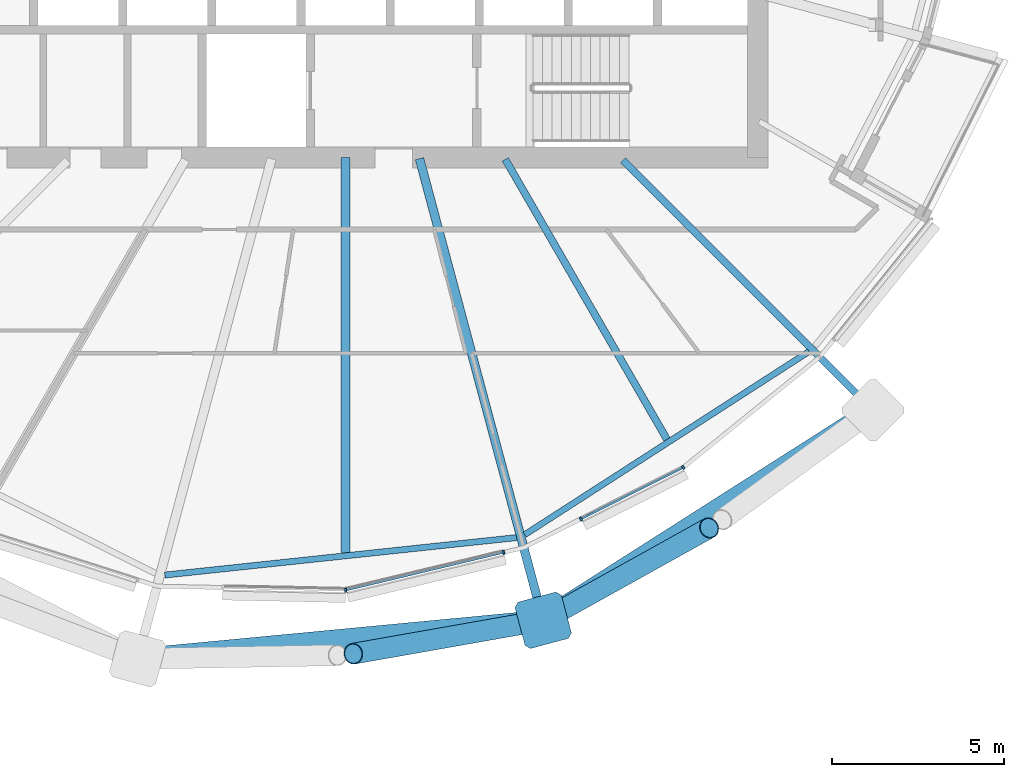
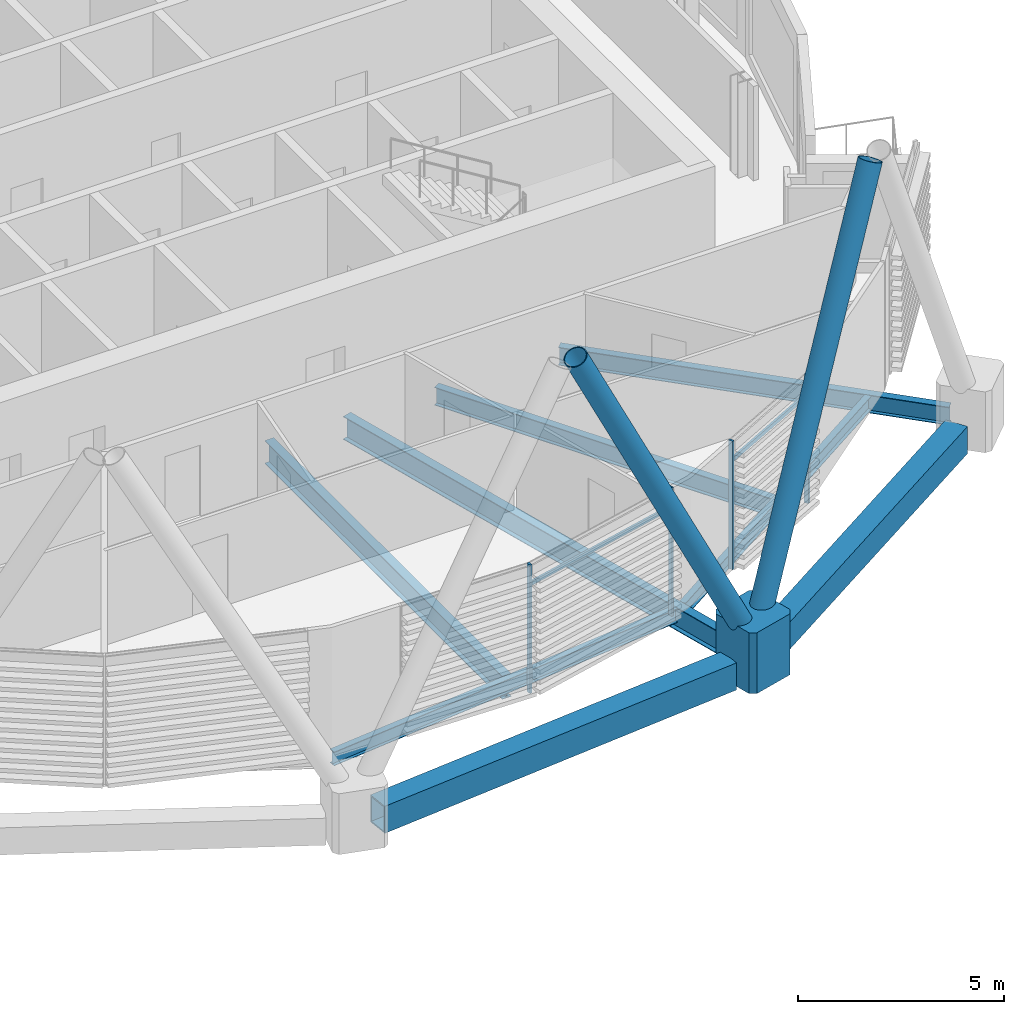
# One storey, part 15 of 35: 9 members, 8 beams, 1 element without a shape of its own.
"""IFC4 building model written with IfcOpenShell, lengths in metres."""

from ifc_helpers import new_model, si_unit, direction, frame, origin, origin_2d, place, context, subcontext, project, spatial, polyline, rectangle, hollow_rectangle, hollow_circle, i_section, outline, extrude, material, material_profile, profile_set, type_object, element, aggregate, save


model = new_model("IFC4")

# Units and contexts
model_context = context("Model", 3, precision=1e-05, world=origin(), true_north=direction((0.0, 1.0)))
body_context = subcontext(model_context, "Body", "Model", "MODEL_VIEW")
ifc_project = project(units=[si_unit("LENGTHUNIT", "METRE"), si_unit("AREAUNIT", "SQUARE_METRE"), si_unit("VOLUMEUNIT", "CUBIC_METRE"), si_unit("PLANEANGLEUNIT", "RADIAN"), si_unit("MASSUNIT", "GRAM", prefix="KILO")], contexts=[model_context])

# Site, building, storey
site_placement = place(None, origin())
site = spatial("IfcSite", under=ifc_project, at=site_placement, CompositionType="ELEMENT")
building_placement = place(site_placement, origin())
building = spatial("IfcBuilding", under=site, at=building_placement, Name="Rimbun Link Towers", CompositionType="ELEMENT")
storey_placement = place(building_placement, frame((0.0, 0.0, 181.699951171875)))
storey = spatial("IfcBuildingStorey", under=building, at=storey_placement, Name="L44", CompositionType="ELEMENT", Elevation=181.699951171875)

# Curtain wall, members
ifc_material_1 = material(Name="Aluminium 6063-T6 and low-iron glass", Category="aluminium")
curtain_wall_type = type_object("IfcCurtainWallType", Name="CW1-Z3 unitised vision wall (zone 3)", PredefinedType="NOTDEFINED", material=ifc_material_1)
curtain_wall_placement = place(storey_placement, origin())
curtain_wall = element("IfcCurtainWall", 1, at=curtain_wall_placement, inside=storey, type_object=curtain_wall_type, Name="CW1 L44 T2", PredefinedType="NOTDEFINED")
ifc_material_2 = material(Name="Aluminium 6063-T6", Category="aluminium")
ifc_material_profile_1 = material_profile(ifc_material_2, rectangle(XDim=0.1201171875, YDim=0.06005859375, at=origin_2d()), Name="MULLION 60X120")
ifc_profile_set_1 = profile_set([ifc_material_profile_1], Name="Aluminium 6063-T6")
member_type_1 = type_object("IfcMemberType", Name="CW1 mullion 60X120", PredefinedType="MULLION", material=ifc_profile_set_1)
member_1_placement = place(storey_placement, frame((31.75634765625, -20.59375, 0.0), z_axis=(0.0, 0.0, 1.0), x_axis=(0.10663447407, -0.99429828972, 0.0)))
member_1 = element("IfcMember", 2, at=member_1_placement, type_object=member_type_1, Name="CW1 mullion", PredefinedType="MULLION", context=body_context, shape_type="SweptSolid", body=[
    extrude(rectangle(XDim=0.1201171875, YDim=0.06005859375, at=origin_2d()), origin(), (0.0, 0.0, 1.0), 3.800048828125),
])
member_2_placement = place(storey_placement, frame((36.35107421875, -19.495361328125, 0.0), z_axis=(0.0, 0.0, 1.0), x_axis=(0.232596033225, -0.972573434414, 0.0)))
member_2 = element("IfcMember", 3, at=member_2_placement, type_object=member_type_1, Name="CW1 mullion", PredefinedType="MULLION", context=body_context, shape_type="SweptSolid", body=[
    extrude(rectangle(XDim=0.1201171875, YDim=0.06005859375, at=origin_2d()), origin(), (0.0, 0.0, 1.0), 3.800048828125),
])
member_3_placement = place(storey_placement, frame((41.58203125, -17.0234375, 0.0), z_axis=(0.0, 0.0, 1.0), x_axis=(0.542094317248, -0.840317648992, 0.0)))
member_3 = element("IfcMember", 4, at=member_3_placement, type_object=member_type_1, Name="CW1 mullion", PredefinedType="MULLION", context=body_context, shape_type="SweptSolid", body=[
    extrude(rectangle(XDim=0.1201171875, YDim=0.06005859375, at=origin_2d()), origin(), (0.0, 0.0, 1.0), 3.800048828125),
])
member_4_placement = place(storey_placement, frame((38.600830078125, -18.52099609375, 0.0), z_axis=(0.0, 0.0, 1.0), x_axis=(0.448780599884, -0.893641971467, 0.0)))
member_4 = element("IfcMember", 5, at=member_4_placement, type_object=member_type_1, Name="CW1 mullion", PredefinedType="MULLION", context=body_context, shape_type="SweptSolid", body=[
    extrude(rectangle(XDim=0.1201171875, YDim=0.06005859375, at=origin_2d()), origin(), (0.0, 0.0, 1.0), 3.800048828125),
])
ifc_material_3 = material(Name="Aluminium 6063-T6", Category="aluminium")
ifc_material_profile_2 = material_profile(ifc_material_3, rectangle(XDim=0.06005859375, YDim=0.1201171875, at=origin_2d()), Name="TRANSOM 60X120")
ifc_profile_set_2 = profile_set([ifc_material_profile_2], Name="Aluminium 6063-T6")
member_type_2 = type_object("IfcMemberType", Name="CW1 transom 60X120", PredefinedType="USERDEFINED", material=ifc_profile_set_2)
member_5_placement = place(storey_placement, frame((36.321533203125, -19.50048828125, 3.199951171875), z_axis=(-0.972577344747, -0.232579682011, 0.0), x_axis=(0.232579682011, -0.972577344747, 0.0)))
member_5 = element("IfcMember", 6, at=member_5_placement, type_object=member_type_2, Name="CW1 transom", ObjectType="TRANSOM", PredefinedType="USERDEFINED", context=body_context, shape_type="SweptSolid", body=[
    extrude(rectangle(XDim=0.06005859375, YDim=0.1201171875, at=origin_2d()), origin(), (0.0, 0.0, 1.0), 4.656494140625),
])
member_6_placement = place(storey_placement, frame((41.548583984375, -17.038330078125, 3.199951171875), z_axis=(-0.89364927564, -0.44876605503, 0.0), x_axis=(0.44876605503, -0.89364927564, 0.0)))
member_6 = element("IfcMember", 7, at=member_6_placement, type_object=member_type_2, Name="CW1 transom", ObjectType="TRANSOM", PredefinedType="USERDEFINED", context=body_context, shape_type="SweptSolid", body=[
    extrude(rectangle(XDim=0.06005859375, YDim=0.1201171875, at=origin_2d()), origin(), (0.0, 0.0, 1.0), 3.26953125),
])
aggregate(curtain_wall, [member_1, member_2, member_3, member_4, member_5, member_6])

# Members
ifc_material_4 = material(Name="Steel S355J2H", Category="steel")
ifc_material_profile_3 = material_profile(ifc_material_4, hollow_circle(Radius=0.3046875, WallThickness=0.02490234375, at=origin_2d()), Name="Diagrid diagonal CHS 610x25")
ifc_profile_set_3 = profile_set([ifc_material_profile_3], Name="Steel S355J2H")
member_type_3 = type_object("IfcMemberType", Name="Diagrid diagonal CHS 610x25", PredefinedType="BRACE", material=ifc_profile_set_3)
member_7_placement = place(storey_placement, frame((37.278564453125, -21.510498046875, 0.445068359375), z_axis=(-0.449122448112, -0.079177858516, 0.889954995111), x_axis=(0.173617242068, -0.984813207292, 0.0)))
element("IfcMember", 8, at=member_7_placement, inside=storey, type_object=member_type_3, Name="Diagrid diagonal T2 L44-L47 16a", PredefinedType="BRACE", context=body_context, shape_type="SweptSolid", body=[
    extrude(hollow_circle(Radius=0.3046875, WallThickness=0.02490234375, at=origin_2d()), origin(), (0.0, 0.0, 1.0), 11.8095703125),
])
member_8_placement = place(storey_placement, frame((37.699951171875, -21.361328125, 0.446533203125), z_axis=(0.39379232344, 0.218987861281, 0.892732839438), x_axis=(-0.486006403122, 0.873955248353, 0.0)))
element("IfcMember", 9, at=member_8_placement, inside=storey, type_object=member_type_3, Name="Diagrid diagonal T2 L44-L47 16b", PredefinedType="BRACE", context=body_context, shape_type="SweptSolid", body=[
    extrude(hollow_circle(Radius=0.3046875, WallThickness=0.02490234375, at=origin_2d()), origin(), (0.0, 0.0, 1.0), 11.76953125),
])
ifc_material_5 = material(Name="Cast steel G20Mn5+QT, Rp0.2 300 MPa", Category="steel")
ifc_material_profile_4 = material_profile(ifc_material_5, outline(polyline([(0.699951171875, -0.570068359375), (0.699951171875, 0.570068359375), (0.570068359375, 0.699951171875), (-0.570068359375, 0.699951171875), (-0.699951171875, 0.570068359375), (-0.699951171875, -0.570068359375), (-0.570068359375, -0.699951171875), (0.570068359375, -0.699951171875), (0.699951171875, -0.570068359375)])), Name="NODE 1400x1400")
ifc_profile_set_4 = profile_set([ifc_material_profile_4], Name="Cast steel G20Mn5+QT, Rp0.2 300 MPa")
member_type_4 = type_object("IfcMemberType", Name="Diagrid node cast 1400", PredefinedType="USERDEFINED", material=ifc_profile_set_4)
member_9_placement = place(storey_placement, frame((37.503173828125, -21.470703125, -0.89990234375), z_axis=(0.0, 0.0, 1.0), x_axis=(0.258819045103, -0.965925826289, 0.0)))
element("IfcMember", 10, at=member_9_placement, inside=storey, type_object=member_type_4, Name="Diagrid node L44 16", ObjectType="Diagrid node", PredefinedType="USERDEFINED", context=body_context, shape_type="SweptSolid", body=[
    extrude(outline(polyline([(0.699951171875, -0.570068359375), (0.699951171875, 0.570068359375), (0.570068359375, 0.699951171875), (-0.570068359375, 0.699951171875), (-0.699951171875, 0.570068359375), (-0.699951171875, -0.570068359375), (-0.570068359375, -0.699951171875), (0.570068359375, -0.699951171875), (0.699951171875, -0.570068359375)])), origin(), (0.0, 0.0, 1.0), 1.800048828125),
])

# Beams
ifc_material_6 = material(Name="Steel S355J2", Category="steel")
ifc_material_profile_5 = material_profile(ifc_material_6, hollow_rectangle(XDim=0.60009765625, YDim=0.800048828125, WallThickness=0.0400390625, at=origin_2d()), Name="Exoskeleton ring girder BOX 600x800x40")
ifc_profile_set_5 = profile_set([ifc_material_profile_5], Name="Steel S355J2")
beam_type_1 = type_object("IfcBeamType", Name="Exoskeleton ring girder BOX 600x800x40", PredefinedType="BEAM", material=ifc_profile_set_5)
beam_1_placement = place(storey_placement, frame((26.393310546875, -22.52587890625, -0.56005859375), z_axis=(0.995521869674, 0.094531513263, 0.0), x_axis=(-0.094531513263, 0.995521869674, 0.0)))
element("IfcBeam", 11, at=beam_1_placement, inside=storey, type_object=beam_type_1, Name="Exoskeleton ring girder L44 06", PredefinedType="BEAM", context=body_context, shape_type="SweptSolid", body=[
    extrude(hollow_rectangle(XDim=0.60009765625, YDim=0.800048828125, WallThickness=0.0400390625, at=origin_2d()), origin(), (0.0, 0.0, 1.0), 10.459716796875),
])
beam_2_placement = place(storey_placement, frame((38.093505859375, -21.0947265625, -0.56005859375), z_axis=(0.843433854944, 0.537233033547, 0.0), x_axis=(-0.537233033547, 0.843433854944, 0.0)))
element("IfcBeam", 12, at=beam_2_placement, inside=storey, type_object=beam_type_1, Name="Exoskeleton ring girder L44 07", PredefinedType="BEAM", context=body_context, shape_type="SweptSolid", body=[
    extrude(hollow_rectangle(XDim=0.60009765625, YDim=0.800048828125, WallThickness=0.0400390625, at=origin_2d()), origin(), (0.0, 0.0, 1.0), 9.984130859375),
])
ifc_material_7 = material(Name="Steel S355J2", Category="steel")
ifc_material_profile_6 = material_profile(ifc_material_7, i_section(OverallWidth=0.177978515625, OverallDepth=0.406494140625, WebThickness=0.0078125, FlangeThickness=0.0126953125, at=origin_2d()), Name="UB 406x178x60")
ifc_profile_set_6 = profile_set([ifc_material_profile_6], Name="Steel S355J2")
beam_type_2 = type_object("IfcBeamType", Name="UB 406x178x60", PredefinedType="BEAM", material=ifc_profile_set_6)
beam_3_placement = place(storey_placement, frame((26.488525390625, -20.15478515625, -0.353271484375), z_axis=(0.994378824579, 0.105880844484, 0.0), x_axis=(-0.105880844484, 0.994378824579, 0.0)))
element("IfcBeam", 13, at=beam_3_placement, inside=storey, type_object=beam_type_2, Name="Edge beam T2 L44 14-16", PredefinedType="BEAM", context=body_context, shape_type="SweptSolid", body=[
    extrude(i_section(OverallWidth=0.177978515625, OverallDepth=0.406494140625, WebThickness=0.0078125, FlangeThickness=0.0126953125, at=origin_2d()), origin(), (0.0, 0.0, 1.0), 10.29541015625),
])
beam_4_placement = place(storey_placement, frame((36.967529296875, -18.978271484375, -0.353271484375), z_axis=(0.840622208514, 0.541621918457, 0.0), x_axis=(-0.541621918457, 0.840622208514, 0.0)))
element("IfcBeam", 14, at=beam_4_placement, inside=storey, type_object=beam_type_2, Name="Edge beam T2 L44 16-18", PredefinedType="BEAM", context=body_context, shape_type="SweptSolid", body=[
    extrude(i_section(OverallWidth=0.177978515625, OverallDepth=0.406494140625, WebThickness=0.0078125, FlangeThickness=0.0126953125, at=origin_2d()), origin(), (0.0, 0.0, 1.0), 9.84716796875),
])
ifc_material_8 = material(Name="Steel S355J2", Category="steel")
ifc_material_profile_7 = material_profile(ifc_material_8, i_section(OverallWidth=0.209228515625, OverallDepth=0.533203125, WebThickness=0.010009765625, FlangeThickness=0.015625, at=origin_2d()), Name="UB 533x210x92")
ifc_profile_set_7 = profile_set([ifc_material_profile_7], Name="Steel S355J2")
beam_type_3 = type_object("IfcBeamType", Name="UB 533x210x92", PredefinedType="BEAM", material=ifc_profile_set_7)
beam_5_placement = place(storey_placement, frame((36.3994140625, -8.05322265625, -0.41650390625), z_axis=(0.50001657107, -0.866015836261, 0.0), x_axis=(0.866015836261, 0.50001657107, 0.0)))
element("IfcBeam", 15, at=beam_5_placement, inside=storey, type_object=beam_type_3, Name="Radial beam T2 L44 17", PredefinedType="BEAM", context=body_context, shape_type="SweptSolid", body=[
    extrude(i_section(OverallWidth=0.209228515625, OverallDepth=0.533203125, WebThickness=0.010009765625, FlangeThickness=0.015625, at=origin_2d()), origin(), (0.0, 0.0, 1.0), 9.412841796875),
])
beam_6_placement = place(storey_placement, frame((39.82470703125, -8.07470703125, -0.41650390625), z_axis=(0.707106781187, -0.707106781187, 0.0), x_axis=(0.707106781187, 0.707106781187, 0.0)))
element("IfcBeam", 16, at=beam_6_placement, inside=storey, type_object=beam_type_3, Name="Radial beam T2 L44 18", PredefinedType="BEAM", context=body_context, shape_type="SweptSolid", body=[
    extrude(i_section(OverallWidth=0.209228515625, OverallDepth=0.533203125, WebThickness=0.010009765625, FlangeThickness=0.015625, at=origin_2d()), origin(), (0.0, 0.0, 1.0), 9.795654296875),
])
ifc_material_9 = material(Name="Steel S355J2", Category="steel")
ifc_material_profile_8 = material_profile(ifc_material_9, i_section(OverallWidth=0.253662109375, OverallDepth=0.68359375, WebThickness=0.012451171875, FlangeThickness=0.01904296875, at=origin_2d()), Name="UB 686x254x140")
ifc_profile_set_8 = profile_set([ifc_material_profile_8], Name="Steel S355J2")
beam_type_4 = type_object("IfcBeamType", Name="UB 686x254x140", PredefinedType="BEAM", material=ifc_profile_set_8)
beam_7_placement = place(storey_placement, frame((31.75, -8.0009765625, -0.49169921875), z_axis=(0.0, -1.0, 0.0), x_axis=(1.0, 0.0, 0.0)))
element("IfcBeam", 17, at=beam_7_placement, inside=storey, type_object=beam_type_4, Name="Radial beam T2 L44 15", PredefinedType="BEAM", context=body_context, shape_type="SweptSolid", body=[
    extrude(i_section(OverallWidth=0.253662109375, OverallDepth=0.68359375, WebThickness=0.012451171875, FlangeThickness=0.01904296875, at=origin_2d()), origin(), (0.0, 0.0, 1.0), 11.503173828125),
])
beam_8_placement = place(storey_placement, frame((33.902587890625, -8.03369140625, -0.49169921875), z_axis=(0.258829505227, -0.965923023446, 0.0), x_axis=(0.965923023446, 0.258829505227, 0.0)))
element("IfcBeam", 18, at=beam_8_placement, inside=storey, type_object=beam_type_4, Name="Radial beam T2 L44 16", PredefinedType="BEAM", context=body_context, shape_type="SweptSolid", body=[
    extrude(i_section(OverallWidth=0.253662109375, OverallDepth=0.68359375, WebThickness=0.012451171875, FlangeThickness=0.01904296875, at=origin_2d()), origin(), (0.0, 0.0, 1.0), 13.4111328125),
])

save(model, "model.ifc")
